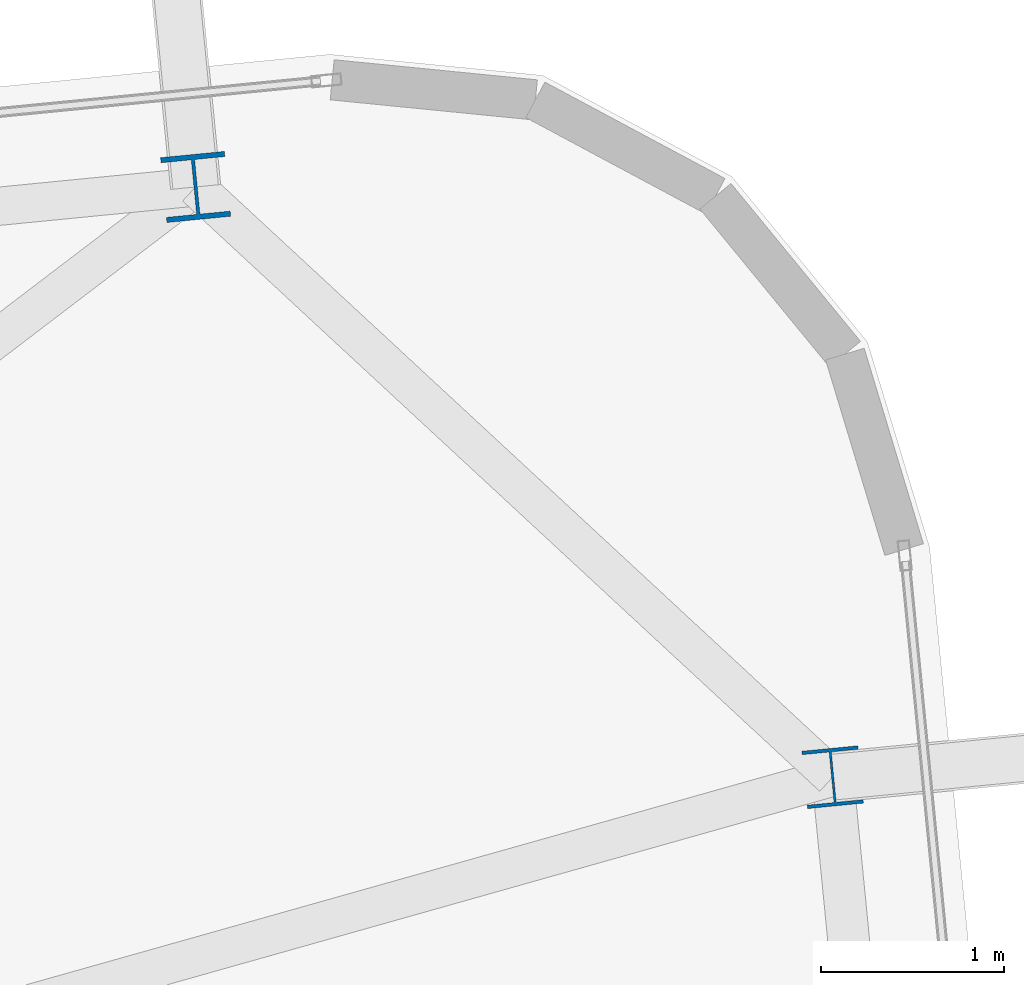
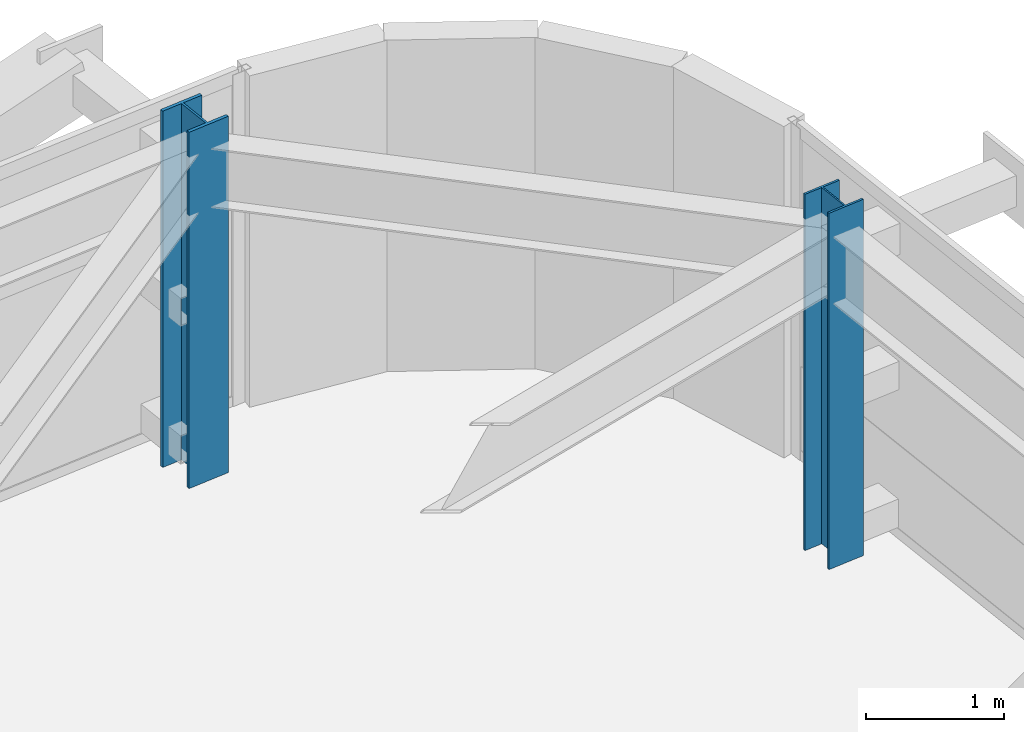
# One storey, part 4 of 52: 2 columns.
"""IFC4 building model written with IfcOpenShell, lengths in metres."""

from ifc_helpers import new_model, si_unit, direction, frame, origin, origin_2d, place, context, subcontext, project, spatial, i_section, extrude, source, transform, mapped, material, material_profile, profile_set, type_object, element, save


model = new_model("IFC4")

# Units and contexts
model_context = context("Model", 3, precision=1e-05, world=origin(), true_north=direction((0.0, 1.0)))
body_context = subcontext(model_context, "Body", "Model", "MODEL_VIEW")
ifc_project = project(units=[si_unit("LENGTHUNIT", "METRE"), si_unit("AREAUNIT", "SQUARE_METRE"), si_unit("VOLUMEUNIT", "CUBIC_METRE"), si_unit("PLANEANGLEUNIT", "RADIAN"), si_unit("MASSUNIT", "GRAM", prefix="KILO")], contexts=[model_context])

# Site, building, storey
site_placement = place(None, origin())
site = spatial("IfcSite", under=ifc_project, at=site_placement, CompositionType="ELEMENT")
building_placement = place(site_placement, origin())
building = spatial("IfcBuilding", under=site, at=building_placement, Name="Taldren Reach Tower", CompositionType="ELEMENT")
storey_placement = place(building_placement, frame((0.0, 0.0, 93.449951171875)))
storey = spatial("IfcBuildingStorey", under=building, at=storey_placement, Name="L28", CompositionType="ELEMENT", Elevation=93.449951171875)

# Columns
ifc_material = material(Name="Steel Gr 350 (350PLUS)", Category="steel")
ifc_material_profile_1 = material_profile(ifc_material, i_section(OverallWidth=0.35009765625, OverallDepth=0.35595703125, WebThickness=0.01806640625, FlangeThickness=0.028076171875, at=origin_2d()), Name="350WC197")
ifc_profile_set_1 = profile_set([ifc_material_profile_1], Name="Steel Gr 350 (350PLUS)")
column_type_1 = type_object("IfcColumnType", Name="COL-WC350", PredefinedType="COLUMN", material=ifc_profile_set_1)
shared_shape_1 = source(origin(), body_context, "Body", "SweptSolid", [
    extrude(i_section(OverallWidth=0.35009765625, OverallDepth=0.35595703125, WebThickness=0.01806640625, FlangeThickness=0.028076171875, at=origin_2d()), origin(), (0.0, 0.0, 1.0), 3.150146484375),
])
column_1_placement = place(storey_placement, frame((59.765869140625, 38.679931640625, 0.0), z_axis=(0.0, 0.0, 1.0), x_axis=(0.995227399982, 0.097582899759, 0.0)))
element("IfcColumn", 1, at=column_1_placement, inside=storey, type_object=column_type_1, Name="Block B2 perimeter column N6 L28", PredefinedType="COLUMN", context=body_context, shape_type="MappedRepresentation", body=[
    mapped(shared_shape_1, transform((0.0, 0.0, 0.0), scale=1.0)),
])
ifc_material_profile_2 = material_profile(ifc_material, i_section(OverallWidth=0.306884765625, OverallDepth=0.31494140625, WebThickness=0.011962890625, FlangeThickness=0.018798828125, at=origin_2d()), Name="310UC118")
ifc_profile_set_2 = profile_set([ifc_material_profile_2], Name="Steel Gr 350 (350PLUS)")
column_type_2 = type_object("IfcColumnType", Name="COL-UC310B", PredefinedType="COLUMN", material=ifc_profile_set_2)
shared_shape_2 = source(origin(), body_context, "Body", "SweptSolid", [
    extrude(i_section(OverallWidth=0.306884765625, OverallDepth=0.31494140625, WebThickness=0.011962890625, FlangeThickness=0.018798828125, at=origin_2d()), origin(), (0.0, 0.0, 1.0), 3.150146484375),
])
column_2_placement = place(storey_placement, frame((63.247314453125, 35.454345703125, 0.0), z_axis=(0.0, 0.0, 1.0), x_axis=(0.995227399982, 0.097582899759, 0.0)))
element("IfcColumn", 2, at=column_2_placement, inside=storey, type_object=column_type_2, Name="Block B2 perimeter column E3 L28", PredefinedType="COLUMN", context=body_context, shape_type="MappedRepresentation", body=[
    mapped(shared_shape_2, transform((0.0, 0.0, 0.0), scale=1.0)),
])

save(model, "model.ifc")
